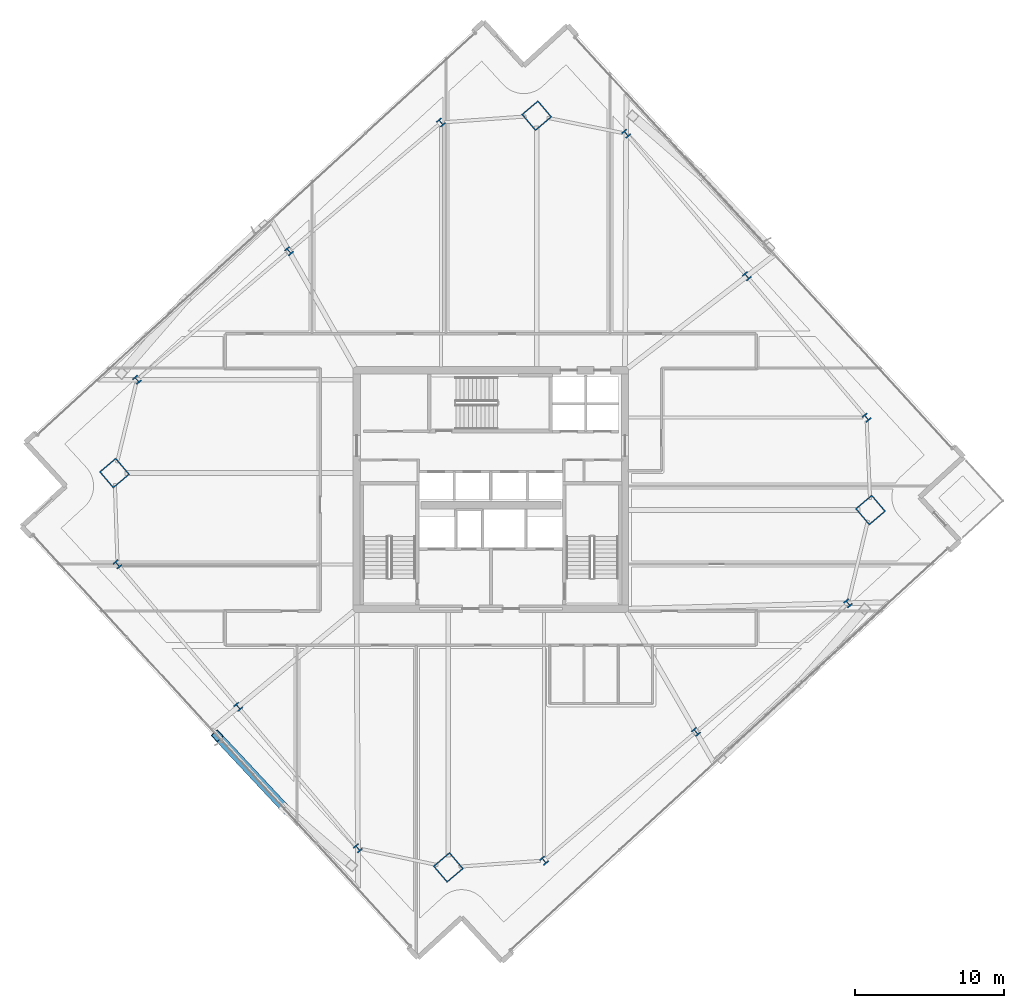
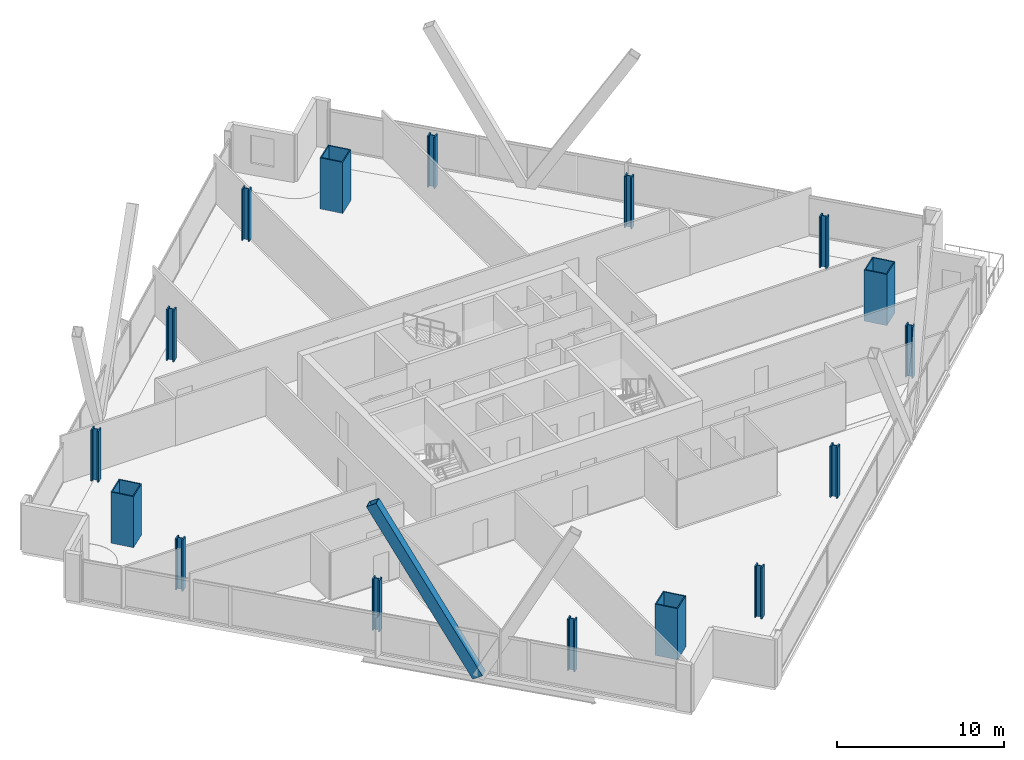
# One storey, part 1 of 32: 16 columns, 1 member.
"""IFC4 building model written with IfcOpenShell, lengths in metres."""

from ifc_helpers import new_model, si_unit, direction, frame, origin, origin_2d, place, context, subcontext, project, spatial, hollow_rectangle, i_section, extrude, material, material_profile, profile_set, type_object, element, save


model = new_model("IFC4")

# Units and contexts
model_context = context("Model", 3, precision=1e-05, world=origin(), true_north=direction((0.0, 1.0)))
body_context = subcontext(model_context, "Body", "Model", "MODEL_VIEW")
ifc_project = project(units=[si_unit("LENGTHUNIT", "METRE"), si_unit("AREAUNIT", "SQUARE_METRE"), si_unit("VOLUMEUNIT", "CUBIC_METRE"), si_unit("PLANEANGLEUNIT", "RADIAN"), si_unit("MASSUNIT", "GRAM", prefix="KILO")], contexts=[model_context])

# Site, building, storey
site_placement = place(None, origin())
site = spatial("IfcSite", under=ifc_project, at=site_placement, CompositionType="ELEMENT")
building_placement = place(site_placement, origin())
building = spatial("IfcBuilding", under=site, at=building_placement, Name="Haldenkirk Collegiate Tower", CompositionType="ELEMENT")
storey_placement = place(building_placement, frame((0.0, 0.0, 170.699951171875)))
storey = spatial("IfcBuildingStorey", under=building, at=storey_placement, Name="L42", CompositionType="ELEMENT", Elevation=170.699951171875)

# Columns
ifc_material_1 = material(Name="Steel ASTM A913 Grade 65", Category="steel")
ifc_material_profile_1 = material_profile(ifc_material_1, i_section(OverallWidth=0.431884765625, OverallDepth=0.498046875, WebThickness=0.0556640625, FlangeThickness=0.0888671875, at=origin_2d()), Name="W14X500")
ifc_profile_set_1 = profile_set([ifc_material_profile_1], Name="Steel ASTM A913 Grade 65")
column_type_1 = type_object("IfcColumnType", Name="COL-INT-W14X500", PredefinedType="COLUMN", material=ifc_profile_set_1)
for number, where, z_axis, x_axis, name in (
    (1, (39.568603515625, 1.113525390625, 0.0), (0.0, 0.0, 1.0), (0.763232469783, 0.646123979643, 0.0), "L42 perimeter gravity column PC-S1"),
    (2, (49.762451171875, 9.7431640625, 0.0), (0.0, 0.0, 1.0), (0.763232469783, 0.646123979643, 0.0), "L42 perimeter gravity column PC-S2"),
    (3, (59.956298828125, 18.372802734375, 0.0), (0.0, 0.0, 1.0), (0.763232469783, 0.646123979643, 0.0), "L42 perimeter gravity column PC-S3"),
    (4, (61.199462890625, 30.82421875, 0.0), (0.0, 0.0, 1.0), (0.763232469783, 0.646123979643, 0.0), "L42 perimeter gravity column PC-E1"),
    (5, (53.17138671875, 40.307373046875, 0.0), (0.0, 0.0, 1.0), (0.763232469783, 0.646123979643, 0.0), "L42 perimeter gravity column PC-E2"),
    (6, (45.079833984375, 49.865234375, 0.0), (0.0, 0.0, 1.0), (0.763232469783, 0.646123979643, 0.0), "L42 perimeter gravity column PC-E3"),
    (7, (32.657470703125, 50.619384765625, 0.0), (0.0, 0.0, 1.0), (0.763232469783, 0.646123979643, 0.0), "L42 perimeter gravity column PC-N1"),
    (8, (22.463623046875, 41.98974609375, 0.0), (0.0, 0.0, 1.0), (0.763232469783, 0.646123979643, 0.0), "L42 perimeter gravity column PC-N2"),
    (9, (12.27001953125, 33.360107421875, 0.0), (0.0, 0.0, 1.0), (0.763232469783, 0.646123979643, 0.0), "L42 perimeter gravity column PC-N3"),
    (10, (10.96337890625, 20.9833984375, 0.0), (0.0, 0.0, 1.0), (0.763232469783, 0.646123979643, 0.0), "L42 perimeter gravity column PC-W1"),
    (11, (19.0546875, 11.425537109375, 0.0), (0.0, 0.0, 1.0), (0.763232469783, 0.646123979643, 0.0), "L42 perimeter gravity column PC-W2"),
    (12, (27.0830078125, 1.9423828125, 0.0), (0.0, 0.0, 1.0), (0.763232469783, 0.646123979643, 0.0), "L42 perimeter gravity column PC-W3"),
):
    element("IfcColumn", number, at=place(storey_placement, frame(where, z_axis=z_axis, x_axis=x_axis)), inside=storey, type_object=column_type_1, Name=name, PredefinedType="COLUMN", context=body_context, shape_type="SweptSolid", body=[
        extrude(i_section(OverallWidth=0.431884765625, OverallDepth=0.498046875, WebThickness=0.0556640625, FlangeThickness=0.0888671875, at=origin_2d()), origin(), (0.0, 0.0, 1.0), 3.75),
    ])
ifc_material_2 = material(Name="Steel ASTM A572 Grade 50", Category="steel")
ifc_material_profile_2 = material_profile(ifc_material_2, hollow_rectangle(XDim=1.449951171875, YDim=1.449951171875, WallThickness=0.070068359375, at=origin_2d()), Name="BOX1450X1450X70")
ifc_profile_set_2 = profile_set([ifc_material_profile_2], Name="Steel ASTM A572 Grade 50")
column_type_2 = type_object("IfcColumnType", Name="COL-MEGA-BOX1450X1450X70", PredefinedType="COLUMN", material=ifc_profile_set_2)
for number, where, z_axis, x_axis, name in (
    (13, (33.149169921875, 0.65771484375, 0.0), (0.0, 0.0, 1.0), (0.763232469783, 0.646123979643, 0.0), "L42 corner mega-column MC1"),
    (14, (61.465087890625, 24.62890625, 0.0), (0.0, 0.0, 1.0), (0.763232469783, 0.646123979643, 0.0), "L42 corner mega-column MC2"),
    (15, (39.076904296875, 51.074951171875, 0.0), (0.0, 0.0, 1.0), (0.763232469783, 0.646123979643, 0.0), "L42 corner mega-column MC3"),
    (16, (10.760986328125, 27.103759765625, 0.0), (0.0, 0.0, 1.0), (0.763232469783, 0.646123979643, 0.0), "L42 corner mega-column MC4"),
):
    element("IfcColumn", number, at=place(storey_placement, frame(where, z_axis=z_axis, x_axis=x_axis)), inside=storey, type_object=column_type_2, Name=name, PredefinedType="COLUMN", context=body_context, shape_type="SweptSolid", body=[
        extrude(hollow_rectangle(XDim=1.449951171875, YDim=1.449951171875, WallThickness=0.070068359375, at=origin_2d()), origin(), (0.0, 0.0, 1.0), 3.75),
    ])

# Member
ifc_material_profile_3 = material_profile(ifc_material_2, hollow_rectangle(XDim=0.60009765625, YDim=0.719970703125, WallThickness=0.044921875, at=origin_2d()), Name="BOX720X600X45")
ifc_profile_set_3 = profile_set([ifc_material_profile_3], Name="Steel ASTM A572 Grade 50")
member_type = type_object("IfcMemberType", Name="MBR-MEGABRACE-BOX720X600X45", PredefinedType="BRACE", material=ifc_profile_set_3)
member_placement = place(storey_placement, frame((22.192138671875, 4.6201171875, -0.300048828125), z_axis=(-0.347802733316, 0.37215490064, 0.860542845318), x_axis=(-0.73060645413, -0.682798805787, 0.0)))
element("IfcMember", 17, at=member_placement, inside=storey, type_object=member_type, Name="Perimeter Mega Brace Z3 L42-L44 WL", PredefinedType="BRACE", context=body_context, shape_type="SweptSolid", body=[
    extrude(hollow_rectangle(XDim=0.60009765625, YDim=0.719970703125, WallThickness=0.044921875, at=origin_2d()), origin(), (0.0, 0.0, 1.0), 13.0732421875),
])

save(model, "model.ifc")
